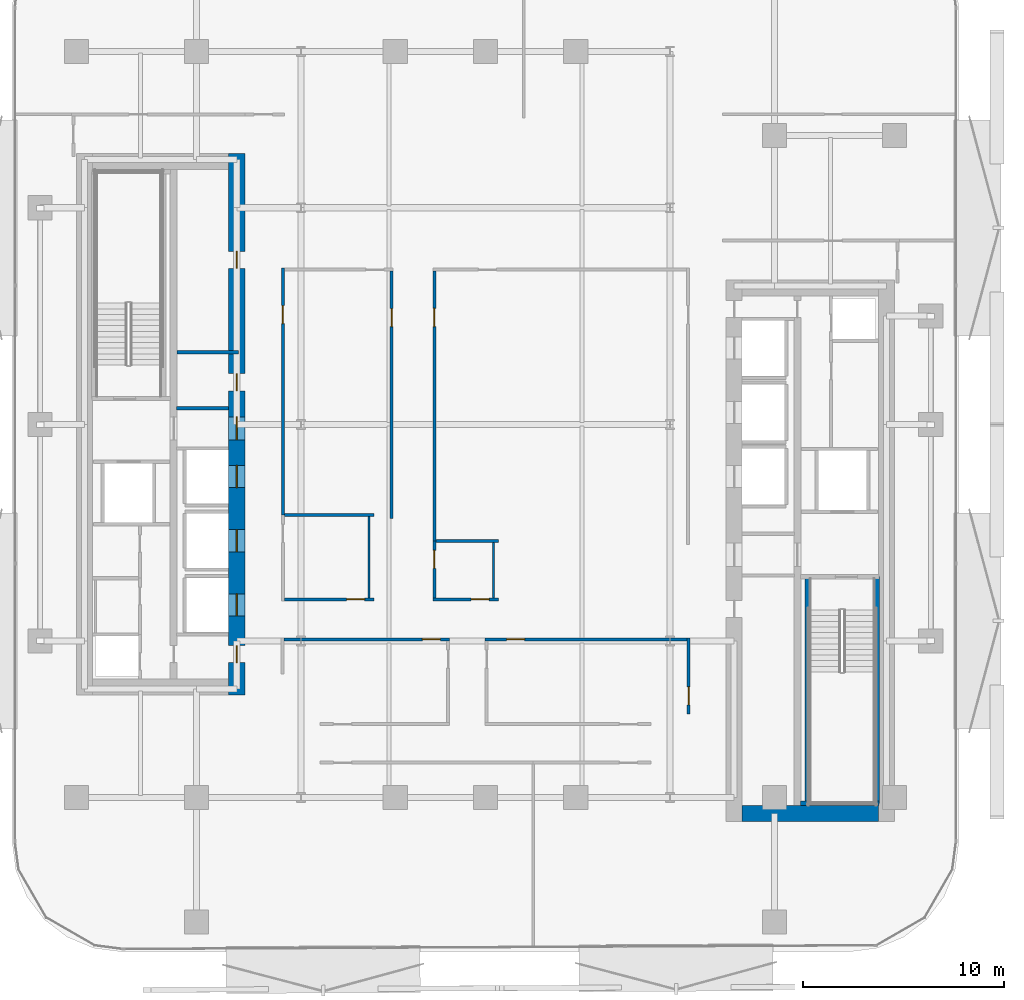
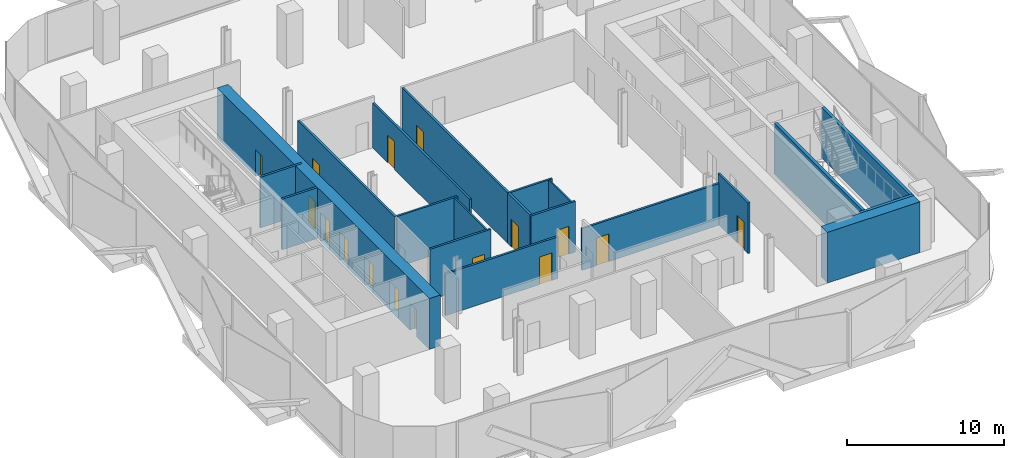
# One storey, part 4 of 15: 20 walls, 16 doors, 16 openings.
"""IFC4 building model written with IfcOpenShell, lengths in metres."""

from ifc_helpers import new_model, si_unit, direction, frame, frame_2d, origin, place, context, subcontext, project, spatial, rectangle, extrude, material, layer, layer_set, type_object, element, fill, save


model = new_model("IFC4")

# Units and contexts
model_context = context("Model", 3, precision=1e-05, world=origin(), true_north=direction((0.0, 1.0)))
body_context = subcontext(model_context, "Body", "Model", "MODEL_VIEW")
ifc_project = project(units=[si_unit("LENGTHUNIT", "METRE"), si_unit("AREAUNIT", "SQUARE_METRE"), si_unit("VOLUMEUNIT", "CUBIC_METRE"), si_unit("PLANEANGLEUNIT", "RADIAN"), si_unit("MASSUNIT", "GRAM", prefix="KILO")], contexts=[model_context])

# Site, building, storey
site_placement = place(None, origin())
site = spatial("IfcSite", under=ifc_project, at=site_placement, CompositionType="ELEMENT")
building_placement = place(site_placement, origin())
building = spatial("IfcBuilding", under=site, at=building_placement, Name="Khairoan Windgate Tower", CompositionType="ELEMENT")
storey_placement = place(building_placement, frame((0.0, 0.0, 101.60009765625)))
storey = spatial("IfcBuildingStorey", under=building, at=storey_placement, Name="L23", CompositionType="ELEMENT", Elevation=101.60009765625)

# Walls
ifc_material_1 = material(Name="Moisture-Resistant Gypsum Partition", Category="gypsum")
ifc_layer_1 = layer(ifc_material_1, 0.10009765625, Name="Moisture-Resistant Gypsum Partition")
ifc_layer_set_1 = layer_set([ifc_layer_1], Name="Moisture-Resistant Gypsum Partition")
wall_type_1 = type_object("IfcWallType", Name="Bathroom Wet-Area Partition Wall", PredefinedType="PARTITIONING", material=ifc_layer_set_1)
wall_1_placement = place(storey_placement, frame((0.39990234375, -5.889892578125, 0.0), z_axis=(0.0, 0.0, 1.0), x_axis=(0.0, -1.0, 0.0)))
element("IfcWall", 1, at=wall_1_placement, inside=storey, type_object=wall_type_1, Name="L23 Wet Room Side Wall 043", PredefinedType="PARTITIONING", context=body_context, shape_type="SweptSolid", body=[
    extrude(rectangle(XDim=2.755126953125, YDim=0.10009765625, at=frame_2d((1.37744140625, 0.0))), origin(), (0.0, 0.0, 1.0), 3.93994140625),
])
wall_2_placement = place(storey_placement, frame((-5.800048828125, -4.590087890625, 0.0), z_axis=(0.0, 0.0, 1.0), x_axis=(0.0, -1.0, 0.0)))
element("IfcWall", 2, at=wall_2_placement, inside=storey, type_object=wall_type_1, Name="L23 Wet Room Side Wall 044", PredefinedType="PARTITIONING", context=body_context, shape_type="SweptSolid", body=[
    extrude(rectangle(XDim=4.054931640625, YDim=0.10009765625, at=frame_2d((2.02734375, 0.0))), origin(), (0.0, 0.0, 1.0), 3.93994140625),
])
ifc_material_2 = material(Name="Concrete C40/50", Category="concrete")
ifc_layer_2 = layer(ifc_material_2, 0.159912109375, Name="Concrete C40/50")
ifc_layer_set_2 = layer_set([ifc_layer_2], Name="Concrete C40/50")
wall_type_2 = type_object("IfcWallType", Name="Core and Hoistway Enclosure Wall", PredefinedType="STANDARD", material=ifc_layer_set_2)
wall_3_placement = place(storey_placement, frame((-15.39990234375, 0.800048828125, 0.0), z_axis=(0.0, 0.0, 1.0), x_axis=(1.0, 0.0, 0.0)))
element("IfcWall", 3, at=wall_3_placement, inside=storey, type_object=wall_type_2, Name="L23 Core Shaft Wall SW-WV1-L23", PredefinedType="STANDARD", context=body_context, shape_type="SweptSolid", body=[
    extrude(rectangle(XDim=2.599853515625, YDim=0.159912109375, at=frame_2d((1.2998046875, 0.0))), origin(), (0.0, 0.0, 1.0), 3.93994140625),
])
ifc_material_3 = material(Name="Acoustic Fire-Rated Gypsum Partition", Category="gypsum")
ifc_layer_3 = layer(ifc_material_3, 0.139892578125, Name="Acoustic Fire-Rated Gypsum Partition")
ifc_layer_set_3 = layer_set([ifc_layer_3], Name="Acoustic Fire-Rated Gypsum Partition")
wall_type_3 = type_object("IfcWallType", Name="Inter-Tenancy Compartment Wall", PredefinedType="PARTITIONING", material=ifc_layer_set_3)
wall_4_placement = place(storey_placement, frame((-2.469970703125, -5.820068359375, 0.0), z_axis=(0.0, 0.0, 1.0), x_axis=(1.0, 0.0, 0.0)))
element("IfcWall", 4, at=wall_4_placement, inside=storey, type_object=wall_type_3, Name="L23 Interior Partition 040", PredefinedType="PARTITIONING", context=body_context, shape_type="SweptSolid", body=[
    extrude(rectangle(XDim=3.10986328125, YDim=0.139892578125, at=frame_2d((1.554931640625, 0.0))), origin(), (0.0, 0.0, 1.0), 3.93994140625),
])
wall_5_placement = place(storey_placement, frame((-10.02490234375, -4.52001953125, 0.0), z_axis=(0.0, 0.0, 1.0), x_axis=(1.0, 0.0, 0.0)))
element("IfcWall", 5, at=wall_5_placement, inside=storey, type_object=wall_type_3, Name="L23 Interior Partition 041", PredefinedType="PARTITIONING", context=body_context, shape_type="SweptSolid", body=[
    extrude(rectangle(XDim=4.46484375, YDim=0.139892578125, at=frame_2d((2.232421875, 0.0))), origin(), (0.0, 0.0, 1.0), 3.93994140625),
])
ifc_material_4 = material(Name="Concrete C40/50", Category="concrete")
ifc_layer_4 = layer(ifc_material_4, 0.159912109375, Name="Concrete C40/50")
ifc_layer_set_4 = layer_set([ifc_layer_4], Name="Concrete C40/50")
wall_type_4 = type_object("IfcWallType", Name="Plant and Refuge Compartment Wall", PredefinedType="PARTITIONING", material=ifc_layer_set_4)
wall_6_placement = place(storey_placement, frame((-15.375, 3.60009765625, 0.0), z_axis=(0.0, 0.0, 1.0), x_axis=(1.0, 0.0, 0.0)))
element("IfcWall", 6, at=wall_6_placement, inside=storey, type_object=wall_type_4, Name="L23 Interior Partition 006", PredefinedType="PARTITIONING", context=body_context, shape_type="SweptSolid", body=[
    extrude(rectangle(XDim=3.06494140625, YDim=0.159912109375, at=frame_2d((1.532470703125, 0.0))), origin(), (0.0, 0.0, 1.0), 3.93994140625),
])

# Wall, opening, door
ifc_material_5 = material(Name="Acoustic Fire-Rated Gypsum Partition", Category="gypsum")
ifc_layer_5 = layer(ifc_material_5, 0.14990234375, Name="Acoustic Fire-Rated Gypsum Partition")
ifc_layer_set_5 = layer_set([ifc_layer_5], Name="Acoustic Fire-Rated Gypsum Partition")
wall_type_5 = type_object("IfcWallType", Name="Rated Corridor Partition Wall", PredefinedType="PARTITIONING", material=ifc_layer_set_5)
wall_7_placement = place(storey_placement, frame((-10.10009765625, -4.52001953125, 0.0), z_axis=(0.0, 0.0, 1.0), x_axis=(0.0, 1.0, 0.0)))
wall_7 = element("IfcWall", 7, at=wall_7_placement, inside=storey, type_object=wall_type_5, Name="L23 Interior Partition 012", PredefinedType="PARTITIONING", context=body_context, shape_type="SweptSolid", body=[
    extrude(rectangle(XDim=12.31494140625, YDim=0.14990234375, at=frame_2d((6.157470703125, 0.0))), origin(), (0.0, 0.0, 1.0), 3.93994140625),
])
opening_1_placement = place(wall_7_placement, frame((9.542236328125, 0.0, 0.0)))
opening_1 = element("IfcOpeningElement", 8, at=opening_1_placement, cuts=wall_7, Name="Opening FD-ENT", PredefinedType="OPENING", context=body_context, shape_type="SweptSolid", body=[
    extrude(rectangle(XDim=0.89990234375, YDim=2.14990234375, at=frame_2d((0.449951171875, 1.074951171875))), frame((0.0, 0.0849609375, 0.0), z_axis=(0.0, -1.0, 0.0), x_axis=(1.0, 0.0, 0.0)), (0.0, 0.0, 1.0), 0.169921875),
])
ifc_material_6 = material(Name="Timber Fire-Rated Core", Category="wood")
door_type_1 = type_object("IfcDoorType", Name="Unit and Office Fire Entrance Door FD-ENT 900x2150", OperationType="NOTDEFINED", PredefinedType="DOOR", material=ifc_material_6)
door_1_placement = place(opening_1_placement, origin())
door_1 = element("IfcDoor", 9, at=door_1_placement, inside=storey, type_object=door_type_1, Name="L23 L23-27-L23-46 Door", OperationType="SINGLE_SWING_RIGHT", OverallHeight=2.14990234375, OverallWidth=0.89990234375, PredefinedType="DOOR", context=body_context, shape_type="SweptSolid", body=[
    extrude(rectangle(XDim=0.89990234375, YDim=2.14990234375, at=frame_2d((0.449951171875, 1.074951171875))), frame((0.0, 0.02490234375, 0.0), z_axis=(0.0, -1.0, 0.0), x_axis=(1.0, 0.0, 0.0)), (0.0, 0.0, 1.0), 0.050048828125),
])
fill(opening_1, door_1)

wall_8_placement = place(storey_placement, frame((10.125, -14.43994140625, 0.0), z_axis=(0.0, 0.0, 1.0), x_axis=(0.0, 1.0, 0.0)))
wall_8 = element("IfcWall", 10, at=wall_8_placement, inside=storey, type_object=wall_type_5, Name="L23 Interior Partition 015", PredefinedType="PARTITIONING", context=body_context, shape_type="SweptSolid", body=[
    extrude(rectangle(XDim=3.800048828125, YDim=0.14990234375, at=frame_2d((1.89990234375, 0.0))), origin(), (0.0, 0.0, 1.0), 3.93994140625),
])
opening_2_placement = place(wall_8_placement, frame((0.4599609375, 0.0, 0.0)))
opening_2 = element("IfcOpeningElement", 11, at=opening_2_placement, cuts=wall_8, Name="Opening FD-ENT", PredefinedType="OPENING", context=body_context, shape_type="SweptSolid", body=[
    extrude(rectangle(XDim=0.89990234375, YDim=2.14990234375, at=frame_2d((0.449951171875, 1.074951171875))), frame((0.0, 0.0849609375, 0.0), z_axis=(0.0, -1.0, 0.0), x_axis=(1.0, 0.0, 0.0)), (0.0, 0.0, 1.0), 0.169921875),
])
door_2_placement = place(opening_2_placement, origin())
door_2 = element("IfcDoor", 12, at=door_2_placement, inside=storey, type_object=door_type_1, Name="L23 L23-28-L23-48 Door", OperationType="SINGLE_SWING_LEFT", OverallHeight=2.14990234375, OverallWidth=0.89990234375, PredefinedType="DOOR", context=body_context, shape_type="SweptSolid", body=[
    extrude(rectangle(XDim=0.89990234375, YDim=2.14990234375, at=frame_2d((0.449951171875, 1.074951171875))), frame((0.0, 0.02490234375, 0.0), z_axis=(0.0, -1.0, 0.0), x_axis=(1.0, 0.0, 0.0)), (0.0, 0.0, 1.0), 0.050048828125),
])
fill(opening_2, door_2)

wall_9_placement = place(storey_placement, frame((-2.6201171875, -8.719970703125, 0.0), z_axis=(0.0, 0.0, 1.0), x_axis=(1.0, 0.0, 0.0)))
wall_9 = element("IfcWall", 13, at=wall_9_placement, inside=storey, type_object=wall_type_5, Name="L23 Interior Partition 018", PredefinedType="PARTITIONING", context=body_context, shape_type="SweptSolid", body=[
    extrude(rectangle(XDim=3.260009765625, YDim=0.14990234375, at=frame_2d((1.6298828125, 0.0))), origin(), (0.0, 0.0, 1.0), 3.93994140625),
])
opening_3_placement = place(wall_9_placement, frame((1.89990234375, 0.0, 0.0)))
opening_3 = element("IfcOpeningElement", 14, at=opening_3_placement, cuts=wall_9, Name="Opening FD-ENT", PredefinedType="OPENING", context=body_context, shape_type="SweptSolid", body=[
    extrude(rectangle(XDim=0.89990234375, YDim=2.14990234375, at=frame_2d((0.449951171875, 1.074951171875))), frame((0.0, 0.0849609375, 0.0), z_axis=(0.0, -1.0, 0.0), x_axis=(1.0, 0.0, 0.0)), (0.0, 0.0, 1.0), 0.169921875),
])
door_3_placement = place(opening_3_placement, origin())
door_3 = element("IfcDoor", 15, at=door_3_placement, inside=storey, type_object=door_type_1, Name="L23 L23-30-L23-43 Door", OperationType="SINGLE_SWING_RIGHT", OverallHeight=2.14990234375, OverallWidth=0.89990234375, PredefinedType="DOOR", context=body_context, shape_type="SweptSolid", body=[
    extrude(rectangle(XDim=0.89990234375, YDim=2.14990234375, at=frame_2d((0.449951171875, 1.074951171875))), frame((0.0, 0.02490234375, 0.0), z_axis=(0.0, -1.0, 0.0), x_axis=(1.0, 0.0, 0.0)), (0.0, 0.0, 1.0), 0.050048828125),
])
fill(opening_3, door_3)

wall_10_placement = place(storey_placement, frame((-10.02490234375, -8.719970703125, 0.0), z_axis=(0.0, 0.0, 1.0), x_axis=(1.0, 0.0, 0.0)))
wall_10 = element("IfcWall", 16, at=wall_10_placement, inside=storey, type_object=wall_type_5, Name="L23 Interior Partition 019", PredefinedType="PARTITIONING", context=body_context, shape_type="SweptSolid", body=[
    extrude(rectangle(XDim=4.46484375, YDim=0.14990234375, at=frame_2d((2.232421875, 0.0))), origin(), (0.0, 0.0, 1.0), 3.93994140625),
])
opening_4_placement = place(wall_10_placement, frame((3.10498046875, 0.0, 0.0)))
opening_4 = element("IfcOpeningElement", 17, at=opening_4_placement, cuts=wall_10, Name="Opening FD-ENT", PredefinedType="OPENING", context=body_context, shape_type="SweptSolid", body=[
    extrude(rectangle(XDim=0.89990234375, YDim=2.14990234375, at=frame_2d((0.449951171875, 1.074951171875))), frame((0.0, 0.0849609375, 0.0), z_axis=(0.0, -1.0, 0.0), x_axis=(1.0, 0.0, 0.0)), (0.0, 0.0, 1.0), 0.169921875),
])
door_4_placement = place(opening_4_placement, origin())
door_4 = element("IfcDoor", 18, at=door_4_placement, inside=storey, type_object=door_type_1, Name="L23 L23-30-L23-45 Door", OperationType="SINGLE_SWING_LEFT", OverallHeight=2.14990234375, OverallWidth=0.89990234375, PredefinedType="DOOR", context=body_context, shape_type="SweptSolid", body=[
    extrude(rectangle(XDim=0.89990234375, YDim=2.14990234375, at=frame_2d((0.449951171875, 1.074951171875))), frame((0.0, 0.02490234375, 0.0), z_axis=(0.0, -1.0, 0.0), x_axis=(1.0, 0.0, 0.0)), (0.0, 0.0, 1.0), 0.050048828125),
])
fill(opening_4, door_4)

wall_11_placement = place(storey_placement, frame((-10.050048828125, -10.715087890625, 0.0), z_axis=(0.0, 0.0, 1.0), x_axis=(1.0, 0.0, 0.0)))
wall_11 = element("IfcWall", 19, at=wall_11_placement, inside=storey, type_object=wall_type_5, Name="L23 Interior Partition 020", PredefinedType="PARTITIONING", context=body_context, shape_type="SweptSolid", body=[
    extrude(rectangle(XDim=8.26513671875, YDim=0.14990234375, at=frame_2d((4.132568359375, 0.0))), origin(), (0.0, 0.0, 1.0), 3.239990234375),
])
opening_5_placement = place(wall_11_placement, frame((6.905029296875, 0.0, 0.0)))
opening_5 = element("IfcOpeningElement", 20, at=opening_5_placement, cuts=wall_11, Name="Opening FD-ENT", PredefinedType="OPENING", context=body_context, shape_type="SweptSolid", body=[
    extrude(rectangle(XDim=0.89990234375, YDim=2.14990234375, at=frame_2d((0.449951171875, 1.074951171875))), frame((0.0, 0.0849609375, 0.0), z_axis=(0.0, -1.0, 0.0), x_axis=(1.0, 0.0, 0.0)), (0.0, 0.0, 1.0), 0.169921875),
])
door_5_placement = place(opening_5_placement, origin())
door_5 = element("IfcDoor", 21, at=door_5_placement, inside=storey, type_object=door_type_1, Name="L23 L23-30-L23-47 Door", OperationType="SINGLE_SWING_RIGHT", OverallHeight=2.14990234375, OverallWidth=0.89990234375, PredefinedType="DOOR", context=body_context, shape_type="SweptSolid", body=[
    extrude(rectangle(XDim=0.89990234375, YDim=2.14990234375, at=frame_2d((0.449951171875, 1.074951171875))), frame((0.0, 0.02490234375, 0.0), z_axis=(0.0, -1.0, 0.0), x_axis=(1.0, 0.0, 0.0)), (0.0, 0.0, 1.0), 0.050048828125),
])
fill(opening_5, door_5)

wall_12_placement = place(storey_placement, frame((-0.014892578125, -10.715087890625, 0.0), z_axis=(0.0, 0.0, 1.0), x_axis=(1.0, 0.0, 0.0)))
wall_12 = element("IfcWall", 22, at=wall_12_placement, inside=storey, type_object=wall_type_5, Name="L23 Interior Partition 021", PredefinedType="PARTITIONING", context=body_context, shape_type="SweptSolid", body=[
    extrude(rectangle(XDim=10.06494140625, YDim=0.14990234375, at=frame_2d((5.032470703125, 0.0))), origin(), (0.0, 0.0, 1.0), 3.239990234375),
])
opening_6_placement = place(wall_12_placement, frame((1.063232421875, 0.0, 0.0)))
opening_6 = element("IfcOpeningElement", 23, at=opening_6_placement, cuts=wall_12, Name="Opening FD-ENT", PredefinedType="OPENING", context=body_context, shape_type="SweptSolid", body=[
    extrude(rectangle(XDim=0.89990234375, YDim=2.14990234375, at=frame_2d((0.449951171875, 1.074951171875))), frame((0.0, 0.0849609375, 0.0), z_axis=(0.0, -1.0, 0.0), x_axis=(1.0, 0.0, 0.0)), (0.0, 0.0, 1.0), 0.169921875),
])
door_6_placement = place(opening_6_placement, origin())
door_6 = element("IfcDoor", 24, at=door_6_placement, inside=storey, type_object=door_type_1, Name="L23 L23-30-L23-48 Door", OperationType="SINGLE_SWING_LEFT", OverallHeight=2.14990234375, OverallWidth=0.89990234375, PredefinedType="DOOR", context=body_context, shape_type="SweptSolid", body=[
    extrude(rectangle(XDim=0.89990234375, YDim=2.14990234375, at=frame_2d((0.449951171875, 1.074951171875))), frame((0.0, 0.02490234375, 0.0), z_axis=(0.0, -1.0, 0.0), x_axis=(1.0, 0.0, 0.0)), (0.0, 0.0, 1.0), 0.050048828125),
])
fill(opening_6, door_6)

wall_13_placement = place(storey_placement, frame((-2.544921875, -8.64501953125, 0.0), z_axis=(0.0, 0.0, 1.0), x_axis=(0.0, 1.0, 0.0)))
wall_13 = element("IfcWall", 25, at=wall_13_placement, inside=storey, type_object=wall_type_5, Name="L23 Interior Partition 022", PredefinedType="PARTITIONING", context=body_context, shape_type="SweptSolid", body=[
    extrude(rectangle(XDim=2.824951171875, YDim=0.14990234375, at=frame_2d((1.41259765625, 0.0))), origin(), (0.0, 0.0, 1.0), 3.93994140625),
])
opening_7_placement = place(wall_13_placement, frame((1.465087890625, 0.0, 0.0)))
opening_7 = element("IfcOpeningElement", 26, at=opening_7_placement, cuts=wall_13, Name="Opening FD-ENT", PredefinedType="OPENING", context=body_context, shape_type="SweptSolid", body=[
    extrude(rectangle(XDim=0.89990234375, YDim=2.14990234375, at=frame_2d((0.449951171875, 1.074951171875))), frame((0.0, 0.0849609375, 0.0), z_axis=(0.0, -1.0, 0.0), x_axis=(1.0, 0.0, 0.0)), (0.0, 0.0, 1.0), 0.169921875),
])
door_7_placement = place(opening_7_placement, origin())
door_7 = element("IfcDoor", 27, at=door_7_placement, inside=storey, type_object=door_type_1, Name="L23 L23-31-L23-43 Door", OperationType="SINGLE_SWING_RIGHT", OverallHeight=2.14990234375, OverallWidth=0.89990234375, PredefinedType="DOOR", context=body_context, shape_type="SweptSolid", body=[
    extrude(rectangle(XDim=0.89990234375, YDim=2.14990234375, at=frame_2d((0.449951171875, 1.074951171875))), frame((0.0, 0.02490234375, 0.0), z_axis=(0.0, -1.0, 0.0), x_axis=(1.0, 0.0, 0.0)), (0.0, 0.0, 1.0), 0.050048828125),
])
fill(opening_7, door_7)

wall_14_placement = place(storey_placement, frame((-2.544921875, -5.820068359375, 0.0), z_axis=(0.0, 0.0, 1.0), x_axis=(0.0, 1.0, 0.0)))
wall_14 = element("IfcWall", 28, at=wall_14_placement, inside=storey, type_object=wall_type_5, Name="L23 Interior Partition 023", PredefinedType="PARTITIONING", context=body_context, shape_type="SweptSolid", body=[
    extrude(rectangle(XDim=13.465087890625, YDim=0.14990234375, at=frame_2d((6.732421875, 0.0))), origin(), (0.0, 0.0, 1.0), 3.93994140625),
])
opening_8_placement = place(wall_14_placement, frame((10.69970703125, 0.0, 0.0)))
opening_8 = element("IfcOpeningElement", 29, at=opening_8_placement, cuts=wall_14, Name="Opening FD-ENT", PredefinedType="OPENING", context=body_context, shape_type="SweptSolid", body=[
    extrude(rectangle(XDim=0.89990234375, YDim=2.14990234375, at=frame_2d((0.449951171875, 1.074951171875))), frame((0.0, 0.0849609375, 0.0), z_axis=(0.0, -1.0, 0.0), x_axis=(1.0, 0.0, 0.0)), (0.0, 0.0, 1.0), 0.169921875),
])
door_8_placement = place(opening_8_placement, origin())
door_8 = element("IfcDoor", 30, at=door_8_placement, inside=storey, type_object=door_type_1, Name="L23 L23-31-L23-44 Door", OperationType="SINGLE_SWING_LEFT", OverallHeight=2.14990234375, OverallWidth=0.89990234375, PredefinedType="DOOR", context=body_context, shape_type="SweptSolid", body=[
    extrude(rectangle(XDim=0.89990234375, YDim=2.14990234375, at=frame_2d((0.449951171875, 1.074951171875))), frame((0.0, 0.02490234375, 0.0), z_axis=(0.0, -1.0, 0.0), x_axis=(1.0, 0.0, 0.0)), (0.0, 0.0, 1.0), 0.050048828125),
])
fill(opening_8, door_8)

wall_15_placement = place(storey_placement, frame((-4.679931640625, -4.679931640625, 0.0), z_axis=(0.0, 0.0, 1.0), x_axis=(0.0, 1.0, 0.0)))
wall_15 = element("IfcWall", 31, at=wall_15_placement, inside=storey, type_object=wall_type_5, Name="L23 Interior Partition 024", PredefinedType="PARTITIONING", context=body_context, shape_type="SweptSolid", body=[
    extrude(rectangle(XDim=12.324951171875, YDim=0.14990234375, at=frame_2d((6.16259765625, 0.0))), origin(), (0.0, 0.0, 1.0), 3.489990234375),
])
opening_9_placement = place(wall_15_placement, frame((9.55078125, 0.0, 0.0)))
opening_9 = element("IfcOpeningElement", 32, at=opening_9_placement, cuts=wall_15, Name="Opening FD-ENT", PredefinedType="OPENING", context=body_context, shape_type="SweptSolid", body=[
    extrude(rectangle(XDim=0.89990234375, YDim=2.14990234375, at=frame_2d((0.449951171875, 1.074951171875))), frame((0.0, 0.0849609375, 0.0), z_axis=(0.0, -1.0, 0.0), x_axis=(1.0, 0.0, 0.0)), (0.0, 0.0, 1.0), 0.169921875),
])
door_9_placement = place(opening_9_placement, origin())
door_9 = element("IfcDoor", 33, at=door_9_placement, inside=storey, type_object=door_type_1, Name="L23 L23-31-L23-46 Door", OperationType="SINGLE_SWING_RIGHT", OverallHeight=2.14990234375, OverallWidth=0.89990234375, PredefinedType="DOOR", context=body_context, shape_type="SweptSolid", body=[
    extrude(rectangle(XDim=0.89990234375, YDim=2.14990234375, at=frame_2d((0.449951171875, 1.074951171875))), frame((0.0, 0.02490234375, 0.0), z_axis=(0.0, -1.0, 0.0), x_axis=(1.0, 0.0, 0.0)), (0.0, 0.0, 1.0), 0.050048828125),
])
fill(opening_9, door_9)

# Wall
ifc_material_7 = material(Name="Concrete C70/85", Category="concrete")
ifc_layer_6 = layer(ifc_material_7, 0.800048828125, Name="Concrete C70/85")
ifc_layer_set_6 = layer_set([ifc_layer_6], Name="Concrete C70/85")
wall_type_6 = type_object("IfcWallType", Name="Shear Wall CW-E1 800mm", PredefinedType="SHEAR", material=ifc_layer_set_6)
wall_16_placement = place(storey_placement, frame((12.800048828125, -19.39990234375, 0.0), z_axis=(0.0, 0.0, 1.0), x_axis=(1.0, 0.0, 0.0)))
element("IfcWall", 34, at=wall_16_placement, inside=storey, type_object=wall_type_6, Name="E Core South Shear Wall L23", PredefinedType="SHEAR", context=body_context, shape_type="SweptSolid", body=[
    extrude(rectangle(XDim=6.800048828125, YDim=0.800048828125, at=frame_2d((3.39990234375, 0.0))), origin(), (0.0, 0.0, 1.0), 3.93994140625),
])

# Wall, openings, doors
ifc_material_8 = material(Name="Concrete C70/85", Category="concrete")
ifc_layer_7 = layer(ifc_material_8, 0.800048828125, Name="Concrete C70/85")
ifc_layer_set_7 = layer_set([ifc_layer_7], Name="Concrete C70/85")
wall_type_7 = type_object("IfcWallType", Name="Shear Wall CW-W1 800mm", PredefinedType="SHEAR", material=ifc_layer_set_7)
wall_17_placement = place(storey_placement, frame((-12.39990234375, -13.5, 0.0), z_axis=(0.0, 0.0, 1.0), x_axis=(0.0, 1.0, 0.0)))
wall_17 = element("IfcWall", 35, at=wall_17_placement, inside=storey, type_object=wall_type_7, Name="W Core East Shear Wall L23", PredefinedType="SHEAR", context=body_context, shape_type="SweptSolid", body=[
    extrude(rectangle(XDim=27.0, YDim=0.800048828125, at=frame_2d((13.5, 0.0))), origin(), (0.0, 0.0, 1.0), 3.93994140625),
])
opening_10_placement = place(wall_17_placement, frame((10.35009765625, 0.0, 0.0)))
opening_10 = element("IfcOpeningElement", 36, at=opening_10_placement, cuts=wall_17, Name="Opening LD-PL", PredefinedType="OPENING", context=body_context, shape_type="SweptSolid", body=[
    extrude(rectangle(XDim=1.10009765625, YDim=2.199951171875, at=frame_2d((0.550048828125, 1.10009765625))), frame((0.0, 0.409912109375, 0.0), z_axis=(0.0, -1.0, 0.0), x_axis=(1.0, 0.0, 0.0)), (0.0, 0.0, 1.0), 0.820068359375),
])
opening_11_placement = place(wall_17_placement, frame((7.14990234375, 0.0, 0.0)))
opening_11 = element("IfcOpeningElement", 37, at=opening_11_placement, cuts=wall_17, Name="Opening LD-PL", PredefinedType="OPENING", context=body_context, shape_type="SweptSolid", body=[
    extrude(rectangle(XDim=1.10009765625, YDim=2.199951171875, at=frame_2d((0.550048828125, 1.10009765625))), frame((0.0, 0.409912109375, 0.0), z_axis=(0.0, -1.0, 0.0), x_axis=(1.0, 0.0, 0.0)), (0.0, 0.0, 1.0), 0.820068359375),
])
opening_12_placement = place(wall_17_placement, frame((3.949951171875, 0.0, 0.0)))
opening_12 = element("IfcOpeningElement", 38, at=opening_12_placement, cuts=wall_17, Name="Opening LD-PL", PredefinedType="OPENING", context=body_context, shape_type="SweptSolid", body=[
    extrude(rectangle(XDim=1.10009765625, YDim=2.199951171875, at=frame_2d((0.550048828125, 1.10009765625))), frame((0.0, 0.409912109375, 0.0), z_axis=(0.0, -1.0, 0.0), x_axis=(1.0, 0.0, 0.0)), (0.0, 0.0, 1.0), 0.820068359375),
])
opening_13_placement = place(wall_17_placement, frame((15.175048828125, 0.0, 0.0)))
opening_13 = element("IfcOpeningElement", 39, at=opening_13_placement, cuts=wall_17, Name="Opening FD-SRV", PredefinedType="OPENING", context=body_context, shape_type="SweptSolid", body=[
    extrude(rectangle(XDim=0.85009765625, YDim=2.10009765625, at=frame_2d((0.425048828125, 1.050048828125))), frame((0.0, 0.409912109375, 0.0), z_axis=(0.0, -1.0, 0.0), x_axis=(1.0, 0.0, 0.0)), (0.0, 0.0, 1.0), 0.820068359375),
])
opening_14_placement = place(wall_17_placement, frame((21.27490234375, 0.0, 0.0)))
opening_14 = element("IfcOpeningElement", 40, at=opening_14_placement, cuts=wall_17, Name="Opening FD-SRV", PredefinedType="OPENING", context=body_context, shape_type="SweptSolid", body=[
    extrude(rectangle(XDim=0.85009765625, YDim=2.10009765625, at=frame_2d((0.425048828125, 1.050048828125))), frame((0.0, 0.409912109375, 0.0), z_axis=(0.0, -1.0, 0.0), x_axis=(1.0, 0.0, 0.0)), (0.0, 0.0, 1.0), 0.820068359375),
])
opening_15_placement = place(wall_17_placement, frame((12.72509765625, 0.0, 0.0)))
opening_15 = element("IfcOpeningElement", 41, at=opening_15_placement, cuts=wall_17, Name="Opening FD-FFL", PredefinedType="OPENING", context=body_context, shape_type="SweptSolid", body=[
    extrude(rectangle(XDim=1.14990234375, YDim=2.199951171875, at=frame_2d((0.574951171875, 1.10009765625))), frame((0.0, 0.409912109375, 0.0), z_axis=(0.0, -1.0, 0.0), x_axis=(1.0, 0.0, 0.0)), (0.0, 0.0, 1.0), 0.820068359375),
])
opening_16_placement = place(wall_17_placement, frame((1.625, 0.0, 0.0)))
opening_16 = element("IfcOpeningElement", 42, at=opening_16_placement, cuts=wall_17, Name="Opening FD-SRV", PredefinedType="OPENING", context=body_context, shape_type="SweptSolid", body=[
    extrude(rectangle(XDim=0.85009765625, YDim=2.10009765625, at=frame_2d((0.425048828125, 1.050048828125))), frame((0.0, 0.409912109375, 0.0), z_axis=(0.0, -1.0, 0.0), x_axis=(1.0, 0.0, 0.0)), (0.0, 0.0, 1.0), 0.820068359375),
])
ifc_material_9 = material(Name="Steel S355", Category="steel")
door_type_2 = type_object("IfcDoorType", Name="Core Service and Riser Fire Door FD-SRV 850x2100", OperationType="NOTDEFINED", PredefinedType="DOOR", material=ifc_material_9)
door_10_placement = place(opening_13_placement, origin())
door_10 = element("IfcDoor", 43, at=door_10_placement, inside=storey, type_object=door_type_2, Name="L23 Upper Core Room Door B1-1", OperationType="SINGLE_SWING_RIGHT", OverallHeight=2.10009765625, OverallWidth=0.85009765625, PredefinedType="DOOR", context=body_context, shape_type="SweptSolid", body=[
    extrude(rectangle(XDim=0.85009765625, YDim=2.10009765625, at=frame_2d((0.425048828125, 1.050048828125))), frame((0.0, 0.02490234375, 0.0), z_axis=(0.0, -1.0, 0.0), x_axis=(1.0, 0.0, 0.0)), (0.0, 0.0, 1.0), 0.050048828125),
])
fill(opening_13, door_10)
door_11_placement = place(opening_14_placement, origin())
door_11 = element("IfcDoor", 44, at=door_11_placement, inside=storey, type_object=door_type_2, Name="L23 Upper Core Room Door B1-2", OperationType="SINGLE_SWING_LEFT", OverallHeight=2.10009765625, OverallWidth=0.85009765625, PredefinedType="DOOR", context=body_context, shape_type="SweptSolid", body=[
    extrude(rectangle(XDim=0.85009765625, YDim=2.10009765625, at=frame_2d((0.425048828125, 1.050048828125))), frame((0.0, 0.02490234375, 0.0), z_axis=(0.0, -1.0, 0.0), x_axis=(1.0, 0.0, 0.0)), (0.0, 0.0, 1.0), 0.050048828125),
])
fill(opening_14, door_11)
door_12_placement = place(opening_16_placement, origin())
door_12 = element("IfcDoor", 45, at=door_12_placement, inside=storey, type_object=door_type_2, Name="L23 West Core Service Vestibule Outer Door", OperationType="SINGLE_SWING_LEFT", OverallHeight=2.10009765625, OverallWidth=0.85009765625, PredefinedType="DOOR", context=body_context, shape_type="SweptSolid", body=[
    extrude(rectangle(XDim=0.85009765625, YDim=2.10009765625, at=frame_2d((0.425048828125, 1.050048828125))), frame((0.0, 0.02490234375, 0.0), z_axis=(0.0, -1.0, 0.0), x_axis=(1.0, 0.0, 0.0)), (0.0, 0.0, 1.0), 0.050048828125),
])
fill(opening_16, door_12)
ifc_material_10 = material(Name="Steel S355", Category="steel")
door_type_3 = type_object("IfcDoorType", Name="Firefighting Lobby Fire Door FD-FFL 1150x2200", OperationType="NOTDEFINED", PredefinedType="DOOR", material=ifc_material_10)
door_13_placement = place(opening_15_placement, origin())
door_13 = element("IfcDoor", 46, at=door_13_placement, inside=storey, type_object=door_type_3, Name="L23 West Core Vestibule Entry Door", OperationType="SINGLE_SWING_LEFT", OverallHeight=2.199951171875, OverallWidth=1.14990234375, PredefinedType="DOOR", context=body_context, shape_type="SweptSolid", body=[
    extrude(rectangle(XDim=1.14990234375, YDim=2.199951171875, at=frame_2d((0.574951171875, 1.10009765625))), frame((0.0, 0.02490234375, 0.0), z_axis=(0.0, -1.0, 0.0), x_axis=(1.0, 0.0, 0.0)), (0.0, 0.0, 1.0), 0.050048828125),
])
fill(opening_15, door_13)
ifc_material_11 = material(Name="Anodised Bronze Aluminium 6063-T6", Category="aluminium")
door_type_4 = type_object("IfcDoorType", Name="Passenger Lift Sliding Landing Door LD-PL 1100x2200", OperationType="DOUBLE_DOOR_SLIDING", PredefinedType="DOOR", material=ifc_material_11)
door_14_placement = place(opening_10_placement, origin())
door_14 = element("IfcDoor", 47, at=door_14_placement, inside=storey, type_object=door_type_4, Name="L23 Lift PL4 Sliding Landing Door", OperationType="DOUBLE_DOOR_SLIDING", OverallHeight=2.199951171875, OverallWidth=1.10009765625, PredefinedType="DOOR", context=body_context, shape_type="SweptSolid", body=[
    extrude(rectangle(XDim=1.10009765625, YDim=2.199951171875, at=frame_2d((0.550048828125, 1.10009765625))), frame((0.0, 0.02490234375, 0.0), z_axis=(0.0, -1.0, 0.0), x_axis=(1.0, 0.0, 0.0)), (0.0, 0.0, 1.0), 0.050048828125),
])
fill(opening_10, door_14)
door_15_placement = place(opening_11_placement, origin())
door_15 = element("IfcDoor", 48, at=door_15_placement, inside=storey, type_object=door_type_4, Name="L23 Lift PL5 Sliding Landing Door", OperationType="DOUBLE_DOOR_SLIDING", OverallHeight=2.199951171875, OverallWidth=1.10009765625, PredefinedType="DOOR", context=body_context, shape_type="SweptSolid", body=[
    extrude(rectangle(XDim=1.10009765625, YDim=2.199951171875, at=frame_2d((0.550048828125, 1.10009765625))), frame((0.0, 0.02490234375, 0.0), z_axis=(0.0, -1.0, 0.0), x_axis=(1.0, 0.0, 0.0)), (0.0, 0.0, 1.0), 0.050048828125),
])
fill(opening_11, door_15)
door_16_placement = place(opening_12_placement, origin())
door_16 = element("IfcDoor", 49, at=door_16_placement, inside=storey, type_object=door_type_4, Name="L23 Lift PL6 Sliding Landing Door", OperationType="DOUBLE_DOOR_SLIDING", OverallHeight=2.199951171875, OverallWidth=1.10009765625, PredefinedType="DOOR", context=body_context, shape_type="SweptSolid", body=[
    extrude(rectangle(XDim=1.10009765625, YDim=2.199951171875, at=frame_2d((0.550048828125, 1.10009765625))), frame((0.0, 0.02490234375, 0.0), z_axis=(0.0, -1.0, 0.0), x_axis=(1.0, 0.0, 0.0)), (0.0, 0.0, 1.0), 0.050048828125),
])
fill(opening_12, door_16)

# Walls
ifc_material_12 = material(Name="Concrete C50/60", Category="concrete")
ifc_layer_8 = layer(ifc_material_12, 0.219970703125, Name="Concrete C50/60")
ifc_layer_set_8 = layer_set([ifc_layer_8], Name="Concrete C50/60")
wall_type_8 = type_object("IfcWallType", Name="Shear Wall SW-ST 220mm", PredefinedType="SHEAR", material=ifc_layer_set_8)
for number, where, z_axis, x_axis, name in (
    (50, (16.0400390625, -18.889892578125, 0.0), (0.0, 0.0, 1.0), (0.0, 1.0, 0.0), "L23 Stair ST1 West Bearing Wall"),
    (51, (19.530029296875, -18.889892578125, 0.0), (0.0, 0.0, 1.0), (0.0, 1.0, 0.0), "L23 Stair ST1 East Bearing Wall"),
):
    element("IfcWall", number, at=place(storey_placement, frame(where, z_axis=z_axis, x_axis=x_axis)), inside=storey, type_object=wall_type_8, Name=name, PredefinedType="SHEAR", context=body_context, shape_type="SweptSolid", body=[
        extrude(rectangle(XDim=11.2998046875, YDim=0.219970703125, at=frame_2d((5.64990234375, 0.0))), origin(), (0.0, 0.0, 1.0), 3.93994140625),
    ])
wall_18_placement = place(storey_placement, frame((15.705078125, -18.889892578125, 0.0), z_axis=(0.0, 0.0, 1.0), x_axis=(1.0, 0.0, 0.0)))
element("IfcWall", 52, at=wall_18_placement, inside=storey, type_object=wall_type_8, Name="L23 Stair ST1 South Bearing Wall", PredefinedType="SHEAR", context=body_context, shape_type="SweptSolid", body=[
    extrude(rectangle(XDim=3.9150390625, YDim=0.219970703125, at=frame_2d((1.95751953125, 0.0))), origin(), (0.0, 0.0, 1.0), 3.93994140625),
])

save(model, "model.ifc")
